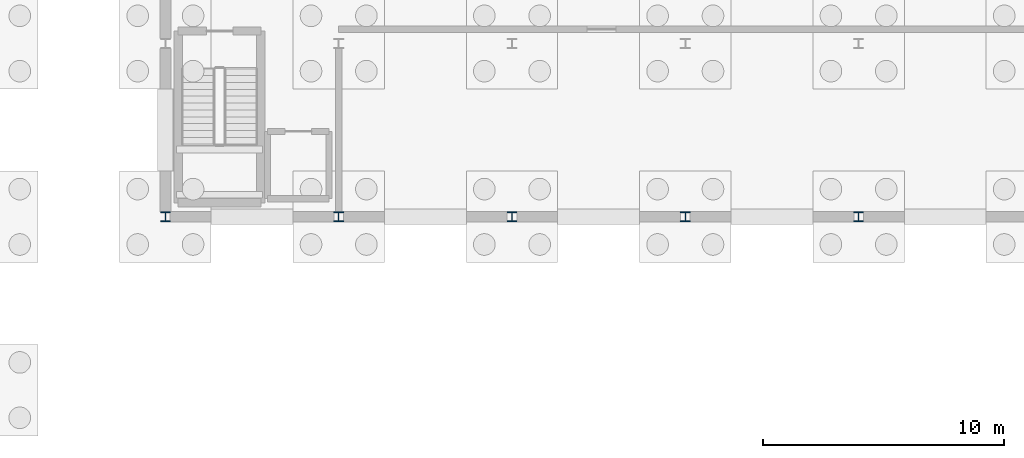
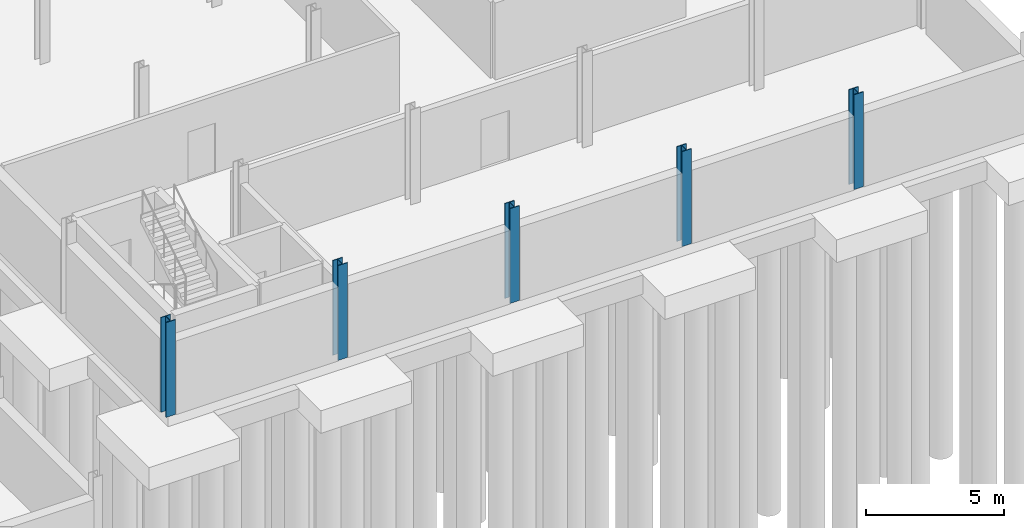
# One storey, part 13 of 50: 5 columns.
"""IFC4 building model written with IfcOpenShell, lengths in metres."""

import ifcopenshell
import ifcopenshell.guid

model = None  # the IFC model being written
_history = None  # IfcOwnerHistory: only IFC2X3 demands one
_inside = {}  # id of a spatial element -> (the spatial element, [elements in it])
_under = {}  # id of a project, library or spatial element -> (it, [spatial elements below it])
_declared = {}  # id of a project -> (the project, [libraries it declares])
_typed = {}  # id of a type object -> (the type object, [elements of that type])
_made_of = {}  # id of a material, layer set ... -> (it, [elements and type objects made of it])


def new_model(schema):
    """Start an empty IFC model of exactly this schema.

    Asked for "IFC4X3", IfcOpenShell would pick the latest addendum, in which some entities
    have other attributes; the version numbers below select the first issue.
    IFC2X3 requires an IfcOwnerHistory on every rooted entity: one is made here for all.
    """
    global model, _history
    if schema == "IFC4X3":
        model = ifcopenshell.file(schema_version=(4, 3, 0, 0))
    else:
        model = ifcopenshell.file(schema=schema)
    _inside.clear()
    _under.clear()
    _declared.clear()
    _typed.clear()
    _made_of.clear()
    _history = None
    if model.schema == "IFC2X3":
        org = make("IfcOrganization", Name="unknown")
        user = make(
            "IfcPersonAndOrganization",
            ThePerson=make("IfcPerson", FamilyName="unknown"),
            TheOrganization=org,
        )
        app = make(
            "IfcApplication",
            ApplicationDeveloper=org,
            Version="unknown",
            ApplicationFullName="unknown",
            ApplicationIdentifier="unknown",
        )
        _history = make(
            "IfcOwnerHistory",
            OwningUser=user,
            OwningApplication=app,
            ChangeAction="ADDED",
            CreationDate=0,
        )
    return model


def make(cls, **values):
    """One entity of the class cls with the attributes given. An attribute that is None is left unset."""
    return model.create_entity(
        cls, **{name: value for name, value in values.items() if value is not None}
    )


def rooted(cls, **values):
    """An entity with a GlobalId (a new one), such as an element, a storey or a relation."""
    return make(cls, GlobalId=ifcopenshell.guid.new(), OwnerHistory=_history, **values)


def si_unit(unit_type, name, prefix=None):
    """IfcSIUnit, for example si_unit("LENGTHUNIT", "METRE", prefix="MILLI")."""
    return make("IfcSIUnit", UnitType=unit_type, Prefix=prefix, Name=name)


def assignment(units):
    """IfcUnitAssignment: the units of a project."""
    return None if units is None else make("IfcUnitAssignment", Units=units)


def point(xyz):
    """IfcCartesianPoint."""
    return None if xyz is None else make("IfcCartesianPoint", Coordinates=xyz)


def direction(xyz):
    """IfcDirection."""
    return None if xyz is None else make("IfcDirection", DirectionRatios=xyz)


def frame(location, z_axis=None, x_axis=None):
    """IfcAxis2Placement3D, a coordinate frame: its origin and axes. An axis left out is left unset."""
    return make(
        "IfcAxis2Placement3D",
        Location=point(location),
        Axis=direction(z_axis),
        RefDirection=direction(x_axis),
    )


def frame_2d(location, x_axis=None):
    """IfcAxis2Placement2D, a coordinate frame in the plane: its origin and x axis."""
    return make(
        "IfcAxis2Placement2D", Location=point(location), RefDirection=direction(x_axis)
    )


def origin():
    """The frame at (0, 0, 0) with its axes left unset."""
    return frame((0.0, 0.0, 0.0))


def origin_2d():
    """The frame at (0, 0) in the plane with its x axis left unset."""
    return frame_2d((0.0, 0.0))


def place(relative_to, where):
    """IfcLocalPlacement: puts the frame where relative to a parent placement (None: the world)."""
    return make(
        "IfcLocalPlacement", PlacementRelTo=relative_to, RelativePlacement=where
    )


def context(
    kind, dimensions, precision=None, world=None, true_north=None, identifier=None
):
    """IfcGeometricRepresentationContext, for example the 3D "Model" context."""
    return make(
        "IfcGeometricRepresentationContext",
        ContextIdentifier=identifier,
        ContextType=kind,
        CoordinateSpaceDimension=dimensions,
        Precision=precision,
        WorldCoordinateSystem=world,
        TrueNorth=true_north,
    )


def subcontext(parent, identifier, kind, view, scale=None):
    """IfcGeometricRepresentationSubContext, for example "Body" below "Model"."""
    return make(
        "IfcGeometricRepresentationSubContext",
        ContextIdentifier=identifier,
        ContextType=kind,
        ParentContext=parent,
        TargetScale=scale,
        TargetView=view,
    )


def project(units=None, contexts=None):
    """IfcProject with its units and contexts."""
    return rooted(
        "IfcProject",
        Name="project",
        RepresentationContexts=contexts,
        UnitsInContext=assignment(units),
    )


def spatial(cls, under=None, at=None, **own):
    """A site, building, storey or space (cls), placed at a placement, below another one or the project."""
    s = rooted(cls, ObjectPlacement=at, **own)
    if under is not None:
        _under.setdefault(under.id(), (under, []))[1].append(s)
    return s


def profile(cls, at=None, kind="AREA", **sizes):
    """A parametric profile (cls). Its sizes go by their IFC names, for example OverallWidth=200.0."""
    return make(cls, ProfileType=kind, Position=at, **sizes)


def i_section(**sizes):
    """IfcIShapeProfileDef."""
    return profile("IfcIShapeProfileDef", **sizes)


def extrude(swept, where, along, depth):
    """IfcExtrudedAreaSolid: the profile swept, set in the frame where, extruded along a direction by depth."""
    return make(
        "IfcExtrudedAreaSolid",
        SweptArea=swept,
        Position=where,
        ExtrudedDirection=direction(along),
        Depth=depth,
    )


def shape(context_of_items, identifier, shape_type, items):
    """IfcShapeRepresentation: the items that make up one representation, for example the "Body"."""
    return make(
        "IfcShapeRepresentation",
        ContextOfItems=context_of_items,
        RepresentationIdentifier=identifier,
        RepresentationType=shape_type,
        Items=items,
    )


def material(Name=None, Category=None):
    """IfcMaterial."""
    return make("IfcMaterial", Name=Name, Category=Category)


def material_profile(
    of_material, cross_section, Name=None, Category=None, Priority=None
):
    """IfcMaterialProfile: a cross section and its material."""
    return make(
        "IfcMaterialProfile",
        Name=Name,
        Material=of_material,
        Profile=cross_section,
        Priority=Priority,
        Category=Category,
    )


def profile_set(profiles, Name=None, composite=None):
    """IfcMaterialProfileSet."""
    return make(
        "IfcMaterialProfileSet",
        Name=Name,
        MaterialProfiles=profiles,
        CompositeProfile=composite,
    )


def made_of(thing, what):
    """Note that an element or type object is made of a material, layer set ...; save() writes the relation."""
    if what is not None:
        _made_of.setdefault(what.id(), (what, []))[1].append(thing)
    return thing


def type_object(cls, material=None, **own):
    """A type object (cls), such as IfcWallType, which elements share."""
    return made_of(rooted(cls, **own), material)


def element(
    cls,
    number,
    at=None,
    inside=None,
    cuts=None,
    type_object=None,
    material=None,
    context=None,
    identifier="Body",
    shape_type=None,
    held_by="IfcProductDefinitionShape",
    body=None,
    shapes=None,
    **own,
):
    """One element of the class cls, such as IfcWall. Its Tag is "e" and its number.

    at: its placement. inside: the storey or other place that contains it. cuts: it is an
    opening in that element (IfcRelVoidsElement). A single representation is given by context,
    identifier, shape_type and body (its items); several are given by shapes. held_by: the class
    of the entity that holds the representations. save() writes the other relations.
    """
    e = rooted(cls, Tag="e%d" % number, ObjectPlacement=at, **own)
    if body is not None:
        shapes = [shape(context, identifier, shape_type, body)]
    if shapes is not None:
        e.Representation = make(held_by, Representations=shapes)
    if inside is not None:
        _inside.setdefault(inside.id(), (inside, []))[1].append(e)
    if cuts is not None:
        rooted(
            "IfcRelVoidsElement", RelatingBuildingElement=cuts, RelatedOpeningElement=e
        )
    if type_object is not None:
        _typed.setdefault(type_object.id(), (type_object, []))[1].append(e)
    return made_of(e, material)


def aggregate(whole, parts):
    """IfcRelAggregates: a whole, such as a stair, and the parts it consists of."""
    return rooted("IfcRelAggregates", RelatingObject=whole, RelatedObjects=parts)


def save(model, path):
    """Write the relations noted so far, then the file.

    IfcRelAggregates (storeys below a building ...), IfcRelContainedInSpatialStructure (elements
    in a storey), IfcRelDefinesByType, IfcRelAssociatesMaterial and IfcRelDeclares: one each for
    every whole, place, type object, material and project.
    """
    for whole, parts in _under.values():
        aggregate(whole, parts)
    for where, things in _inside.values():
        rooted(
            "IfcRelContainedInSpatialStructure",
            RelatedElements=things,
            RelatingStructure=where,
        )
    for kind, things in _typed.values():
        rooted("IfcRelDefinesByType", RelatedObjects=things, RelatingType=kind)
    for what, things in _made_of.values():
        rooted("IfcRelAssociatesMaterial", RelatedObjects=things, RelatingMaterial=what)
    for by, libraries in _declared.values():
        rooted("IfcRelDeclares", RelatingContext=by, RelatedDefinitions=libraries)
    model.write(path)


model = new_model("IFC4")

# Units and contexts
model_context = context("Model", 3, precision=1e-05, world=origin(), true_north=direction((0.0, 1.0)))
body_context = subcontext(model_context, "Body", "Model", "MODEL_VIEW")
ifc_project = project(units=[si_unit("LENGTHUNIT", "METRE"), si_unit("AREAUNIT", "SQUARE_METRE"), si_unit("VOLUMEUNIT", "CUBIC_METRE"), si_unit("PLANEANGLEUNIT", "RADIAN"), si_unit("MASSUNIT", "GRAM", prefix="KILO")], contexts=[model_context])

# Site, building, storey
site_placement = place(None, origin())
site = spatial("IfcSite", under=ifc_project, at=site_placement, CompositionType="ELEMENT")
building_placement = place(site_placement, origin())
building = spatial("IfcBuilding", under=site, at=building_placement, Name="Narikvali Park Central Library", CompositionType="ELEMENT")
storey_placement = place(building_placement, frame((0.0, 0.0, -4.199951171875)))
storey = spatial("IfcBuildingStorey", under=building, at=storey_placement, Name="B1", CompositionType="ELEMENT", Elevation=-4.199951171875)

# Columns
ifc_material = material(Name="Steel S355", Category="steel")
ifc_material_profile = material_profile(ifc_material, i_section(OverallWidth=0.40087890625, OverallDepth=0.39892578125, WebThickness=0.0185546875, FlangeThickness=0.029052734375, FilletRadius=0.014892578125, at=origin_2d()), Name="HD 400x314")
ifc_profile_set = profile_set([ifc_material_profile], Name="Steel S355")
column_type = type_object("IfcColumnType", Name="Steel Column HD400x314", PredefinedType="COLUMN", material=ifc_profile_set)
for number, where, z_axis, x_axis, name in (
    (1, (64.800048828125, 57.60009765625, 0.0), (0.0, 0.0, 1.0), (1.0, 0.0, 0.0), "V1 B1 Column (64.8,57.6)"),
    (2, (72.0, 57.60009765625, 0.0), (0.0, 0.0, 1.0), (1.0, 0.0, 0.0), "V1 B1 Column (72.0,57.6)"),
    (3, (79.199951171875, 57.60009765625, 0.0), (0.0, 0.0, 1.0), (1.0, 0.0, 0.0), "V1 B1 Column (79.2,57.6)"),
    (4, (86.39990234375, 57.60009765625, 0.0), (0.0, 0.0, 1.0), (1.0, 0.0, 0.0), "V1 B1 Column (86.4,57.6)"),
    (5, (93.60009765625, 57.60009765625, 0.0), (0.0, 0.0, 1.0), (1.0, 0.0, 0.0), "V1 B1 Column (93.6,57.6)"),
):
    element("IfcColumn", number, at=place(storey_placement, frame(where, z_axis=z_axis, x_axis=x_axis)), inside=storey, type_object=column_type, Name=name, PredefinedType="COLUMN", context=body_context, shape_type="SweptSolid", body=[
        extrude(i_section(OverallWidth=0.40087890625, OverallDepth=0.39892578125, WebThickness=0.0185546875, FlangeThickness=0.029052734375, FilletRadius=0.014892578125, at=origin_2d()), origin(), (0.0, 0.0, 1.0), 4.199951171875),
    ])

save(model, "model.ifc")
